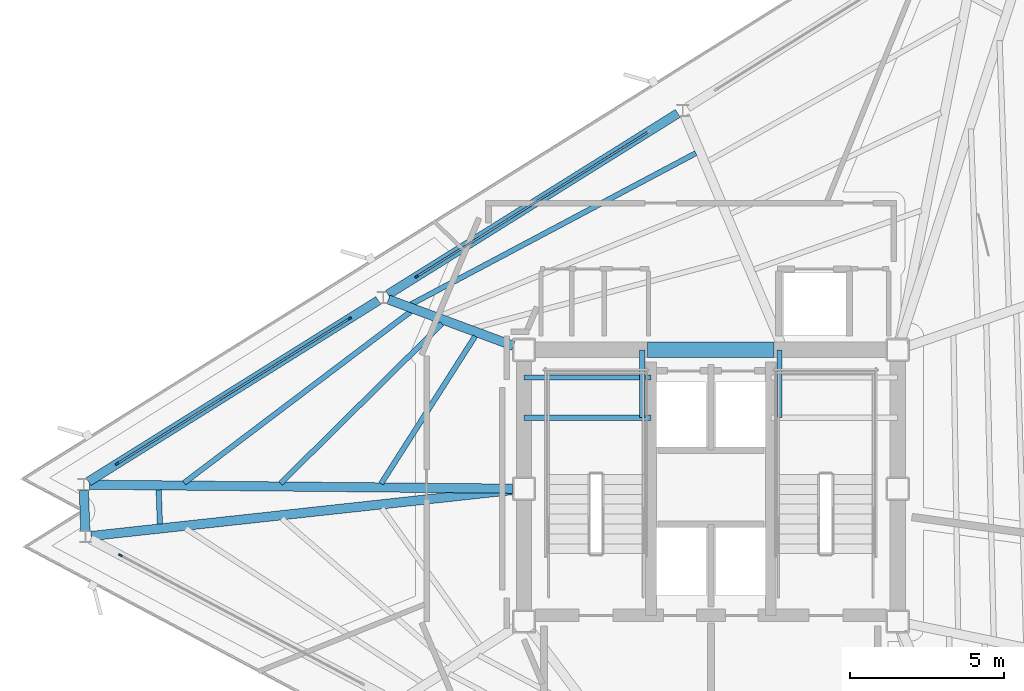
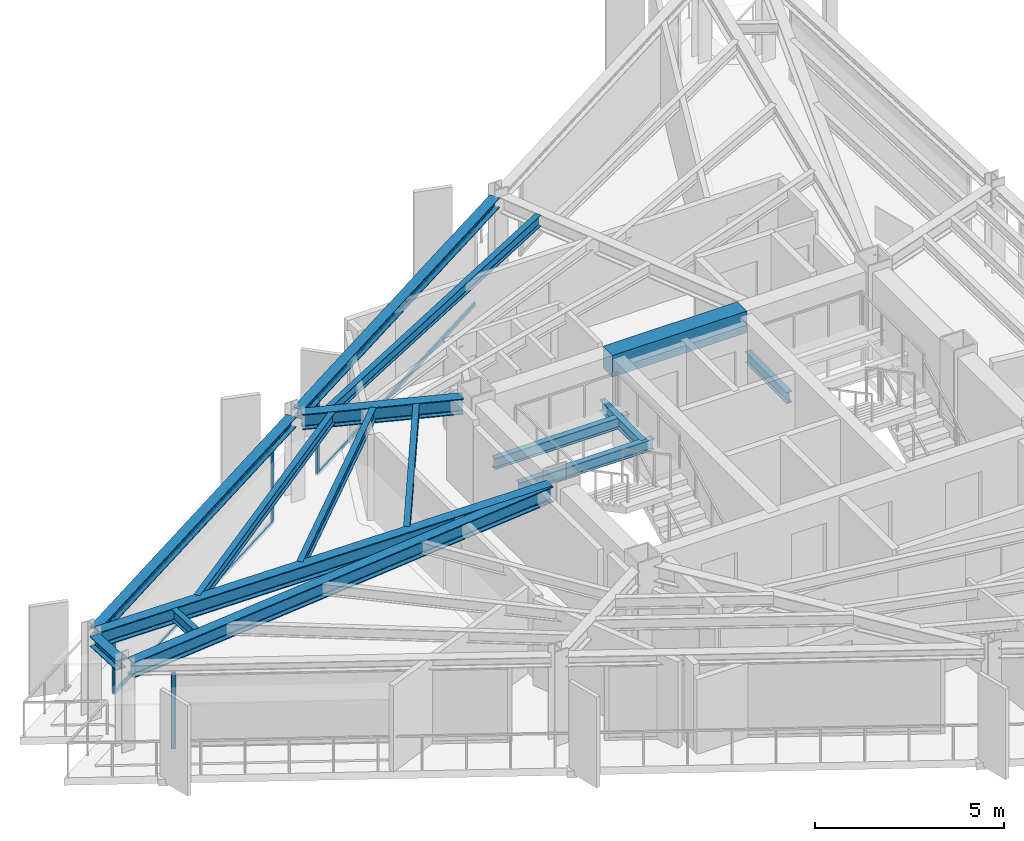
# One storey, part 4 of 13: 16 beams, 8 members, 3 elements without a shape of their own.
"""IFC4 building model written with IfcOpenShell, lengths in metres."""

from ifc_helpers import new_model, si_unit, direction, frame, origin, origin_2d, place, context, subcontext, project, spatial, rectangle, i_section, extrude, material, layer, layer_set, material_profile, profile_set, type_object, element, aggregate, save


model = new_model("IFC4")

# Units and contexts
model_context = context("Model", 3, precision=1e-05, world=origin(), true_north=direction((0.0, 1.0)))
body_context = subcontext(model_context, "Body", "Model", "MODEL_VIEW")
ifc_project = project(units=[si_unit("LENGTHUNIT", "METRE"), si_unit("AREAUNIT", "SQUARE_METRE"), si_unit("VOLUMEUNIT", "CUBIC_METRE"), si_unit("PLANEANGLEUNIT", "RADIAN"), si_unit("MASSUNIT", "GRAM", prefix="KILO")], contexts=[model_context])

# Site, building, storey
site_placement = place(None, origin())
site = spatial("IfcSite", under=ifc_project, at=site_placement, CompositionType="ELEMENT")
building_placement = place(site_placement, origin())
building = spatial("IfcBuilding", under=site, at=building_placement, Name="Rocaltana Carrier Exchange", CompositionType="ELEMENT")
storey_placement = place(building_placement, frame((0.0, 0.0, 202.719970703125)))
storey = spatial("IfcBuildingStorey", under=building, at=storey_placement, Name="L64", CompositionType="ELEMENT", Elevation=202.719970703125)

# Curtain wall, member
ifc_material_1 = material(Name="Aluminium 6063-T6", Category="aluminium")
ifc_layer = layer(ifc_material_1, 0.1201171875)
ifc_layer_set = layer_set([ifc_layer], Name="Aluminium 6063-T6")
curtain_wall_type = type_object("IfcCurtainWallType", Name="High-Altitude Thermal Curtain Wall CW-05", PredefinedType="NOTDEFINED", material=ifc_layer_set)
curtain_wall_1_placement = place(storey_placement, origin())
curtain_wall_1 = element("IfcCurtainWall", 1, at=curtain_wall_1_placement, inside=storey, type_object=curtain_wall_type, Name="L64 CW-05 Run CW-L64-F2S2", PredefinedType="NOTDEFINED")
ifc_material_2 = material(Name="Aluminium 6063-T6", Category="aluminium")
ifc_material_profile_1 = material_profile(ifc_material_2, rectangle(XDim=0.06005859375, YDim=0.1201171875, at=origin_2d()), Name="AL-60X120")
ifc_profile_set_1 = profile_set([ifc_material_profile_1], Name="Aluminium 6063-T6")
member_type_1 = type_object("IfcMemberType", Name="CW-05 Mullion AL-60X120", PredefinedType="MULLION", material=ifc_profile_set_1)
member_1_placement = place(storey_placement, frame((-9.52490234375, 6.870849609375, 0.0), z_axis=(0.0, 0.0, 1.0), x_axis=(0.529920452816, -0.848047353446, 0.0)))
member_1 = element("IfcMember", 2, at=member_1_placement, type_object=member_type_1, Name="CW-05 mullion 2", PredefinedType="MULLION", context=body_context, shape_type="SweptSolid", body=[
    extrude(rectangle(XDim=0.06005859375, YDim=0.1201171875, at=origin_2d()), origin(), (0.0, 0.0, 1.0), 2.447998046875),
])

# Curtain wall, members
curtain_wall_2_placement = place(storey_placement, origin())
curtain_wall_2 = element("IfcCurtainWall", 3, at=curtain_wall_2_placement, inside=storey, type_object=curtain_wall_type, Name="L64 CW-05 Run CW-L64-F2S3", PredefinedType="NOTDEFINED")
member_2_placement = place(storey_placement, frame((-11.696044921875, 5.514404296875, 0.0), z_axis=(0.0, 0.0, 1.0), x_axis=(0.529915422228, -0.848050496896, 0.0)))
member_2 = element("IfcMember", 4, at=member_2_placement, type_object=member_type_1, Name="CW-05 mullion 1", PredefinedType="MULLION", context=body_context, shape_type="SweptSolid", body=[
    extrude(rectangle(XDim=0.06005859375, YDim=0.1201171875, at=origin_2d()), origin(), (0.0, 0.0, 1.0), 2.447998046875),
])
member_3_placement = place(storey_placement, frame((-19.220947265625, 0.812255859375, 0.0), z_axis=(0.0, 0.0, 1.0), x_axis=(0.529915422228, -0.848050496896, 0.0)))
member_3 = element("IfcMember", 5, at=member_3_placement, type_object=member_type_1, Name="CW-05 mullion 2", PredefinedType="MULLION", context=body_context, shape_type="SweptSolid", body=[
    extrude(rectangle(XDim=0.06005859375, YDim=0.1201171875, at=origin_2d()), origin(), (0.0, 0.0, 1.0), 2.447998046875),
])

# Curtain wall, member
curtain_wall_3_placement = place(storey_placement, origin())
curtain_wall_3 = element("IfcCurtainWall", 6, at=curtain_wall_3_placement, inside=storey, type_object=curtain_wall_type, Name="L64 CW-05 Run CW-L64-F3S1", PredefinedType="NOTDEFINED")
member_4_placement = place(storey_placement, frame((-19.11767578125, -2.15087890625, 0.0), z_axis=(0.0, 0.0, 1.0), x_axis=(0.469483388841, 0.882941304732, 0.0)))
member_4 = element("IfcMember", 7, at=member_4_placement, type_object=member_type_1, Name="CW-05 mullion 1", PredefinedType="MULLION", context=body_context, shape_type="SweptSolid", body=[
    extrude(rectangle(XDim=0.06005859375, YDim=0.1201171875, at=origin_2d()), origin(), (0.0, 0.0, 1.0), 2.447998046875),
])
aggregate(curtain_wall_3, [member_4])

# Member
ifc_material_3 = material(Name="Aluminium 6063-T6", Category="aluminium")
ifc_material_profile_2 = material_profile(ifc_material_3, rectangle(XDim=0.06005859375, YDim=0.1201171875, at=origin_2d()), Name="AL-60X120")
ifc_profile_set_2 = profile_set([ifc_material_profile_2], Name="Aluminium 6063-T6")
member_type_2 = type_object("IfcMemberType", Name="CW-05 Transom AL-60X120", PredefinedType="USERDEFINED", material=ifc_profile_set_2)
member_5_placement = place(storey_placement, frame((-2.025390625, 11.55712890625, 0.030029296875), z_axis=(-0.848044988156, -0.529924238042, 0.0), x_axis=(0.529924238042, -0.848044988156, 0.0)))
member_5 = element("IfcMember", 8, at=member_5_placement, type_object=member_type_2, Name="CW-05 transom 1.1", ObjectType="TRANSOM", PredefinedType="USERDEFINED", context=body_context, shape_type="SweptSolid", body=[
    extrude(rectangle(XDim=0.06005859375, YDim=0.1201171875, at=origin_2d()), origin(), (0.0, 0.0, 1.0), 8.813232421875),
])

member_6_placement = place(storey_placement, frame((-2.025390625, 11.55712890625, 2.41796875), z_axis=(-0.848044988156, -0.529924238042, 0.0), x_axis=(0.529924238042, -0.848044988156, 0.0)))
member_6 = element("IfcMember", 9, at=member_6_placement, type_object=member_type_2, Name="CW-05 transom 1.2", ObjectType="TRANSOM", PredefinedType="USERDEFINED", context=body_context, shape_type="SweptSolid", body=[
    extrude(rectangle(XDim=0.06005859375, YDim=0.1201171875, at=origin_2d()), origin(), (0.0, 0.0, 1.0), 8.813232421875),
])

aggregate(curtain_wall_1, [member_1, member_5, member_6])

member_7_placement = place(storey_placement, frame((-11.721435546875, 5.498291015625, 0.030029296875), z_axis=(-0.848057437019, -0.529904315435, 0.0), x_axis=(0.529904315435, -0.848057437019, 0.0)))
member_7 = element("IfcMember", 10, at=member_7_placement, type_object=member_type_2, Name="CW-05 transom 1.1", ObjectType="TRANSOM", PredefinedType="USERDEFINED", context=body_context, shape_type="SweptSolid", body=[
    extrude(rectangle(XDim=0.06005859375, YDim=0.1201171875, at=origin_2d()), origin(), (0.0, 0.0, 1.0), 8.813232421875),
])

member_8_placement = place(storey_placement, frame((-11.721435546875, 5.498291015625, 2.41796875), z_axis=(-0.848057437019, -0.529904315435, 0.0), x_axis=(0.529904315435, -0.848057437019, 0.0)))
member_8 = element("IfcMember", 11, at=member_8_placement, type_object=member_type_2, Name="CW-05 transom 1.2", ObjectType="TRANSOM", PredefinedType="USERDEFINED", context=body_context, shape_type="SweptSolid", body=[
    extrude(rectangle(XDim=0.06005859375, YDim=0.1201171875, at=origin_2d()), origin(), (0.0, 0.0, 1.0), 8.813232421875),
])

aggregate(curtain_wall_2, [member_2, member_3, member_7, member_8])

# Beams
ifc_material_4 = material(Name="Concrete C60/75", Category="concrete")
ifc_material_profile_3 = material_profile(ifc_material_4, rectangle(XDim=0.5, YDim=0.699951171875, at=origin_2d()), Name="RC-BM-500X700")
ifc_profile_set_3 = profile_set([ifc_material_profile_3], Name="Concrete C60/75")
beam_type_1 = type_object("IfcBeamType", Name="Core Coupling Lintel 500x700", PredefinedType="LINTEL", material=ifc_profile_set_3)
beam_1_placement = place(storey_placement, frame((-2.050048828125, 4.5, 2.447998046875), z_axis=(1.0, 0.0, 0.0), x_axis=(0.0, 1.0, 0.0)))
element("IfcBeam", 12, at=beam_1_placement, inside=storey, type_object=beam_type_1, Name="L64 Core Coupling Lintel CL-N", PredefinedType="LINTEL", context=body_context, shape_type="SweptSolid", body=[
    extrude(rectangle(XDim=0.5, YDim=0.699951171875, at=origin_2d()), origin(), (0.0, 0.0, 1.0), 4.10009765625),
])
ifc_material_5 = material(Name="Steel S355", Category="steel")
ifc_material_profile_4 = material_profile(ifc_material_5, i_section(OverallWidth=0.172119140625, OverallDepth=0.35791015625, WebThickness=0.0078125, FlangeThickness=0.01318359375, FilletRadius=0.011962890625, at=origin_2d()), Name="W14X38")
ifc_profile_set_4 = profile_set([ifc_material_profile_4], Name="Steel S355")
beam_type_2 = type_object("IfcBeamType", Name="Floor Joist W14X38", PredefinedType="JOIST", material=ifc_profile_set_4)
for number, where, z_axis, x_axis, name in (
    (13, (-6.050048828125, 2.300048828125, 1.14111328125), (1.0, 0.0, 0.0), (0.0, 1.0, 0.0), "L64 ST-1 Landing Carrier 1"),
    (14, (-6.050048828125, 3.60009765625, 1.14111328125), (1.0, 0.0, 0.0), (0.0, 1.0, 0.0), "L64 ST-1 Landing Carrier 2"),
):
    element("IfcBeam", number, at=place(storey_placement, frame(where, z_axis=z_axis, x_axis=x_axis)), inside=storey, type_object=beam_type_2, Name=name, PredefinedType="JOIST", context=body_context, shape_type="SweptSolid", body=[
        extrude(i_section(OverallWidth=0.172119140625, OverallDepth=0.35791015625, WebThickness=0.0078125, FlangeThickness=0.01318359375, FilletRadius=0.011962890625, at=origin_2d()), origin(), (0.0, 0.0, 1.0), 4.110107421875),
    ])
for number, where, z_axis, x_axis, name in (
    (15, (-2.219970703125, 2.300048828125, 1.14111328125), (0.0, 1.0, 0.0), (-1.0, 0.0, 0.0), "L64 ST-1 Landing Cross Trimmer"),
    (16, (2.219970703125, 2.300048828125, 1.14111328125), (0.0, 1.0, 0.0), (-1.0, 0.0, 0.0), "L64 ST-2 Landing Cross Trimmer"),
):
    element("IfcBeam", number, at=place(storey_placement, frame(where, z_axis=z_axis, x_axis=x_axis)), inside=storey, type_object=beam_type_2, Name=name, PredefinedType="JOIST", context=body_context, shape_type="SweptSolid", body=[
        extrude(i_section(OverallWidth=0.172119140625, OverallDepth=0.35791015625, WebThickness=0.0078125, FlangeThickness=0.01318359375, FilletRadius=0.011962890625, at=origin_2d()), origin(), (0.0, 0.0, 1.0), 2.199951171875),
    ])
beam_2_placement = place(storey_placement, frame((-0.48681640625, 10.8662109375, 2.619140625), z_axis=(-0.883312459796, -0.468784703643, 0.0), x_axis=(0.468784703643, -0.883312459796, 0.0)))
element("IfcBeam", 17, at=beam_2_placement, inside=storey, type_object=beam_type_2, Name="FJ-L64-06-3", PredefinedType="JOIST", context=body_context, shape_type="SweptSolid", body=[
    extrude(i_section(OverallWidth=0.172119140625, OverallDepth=0.35791015625, WebThickness=0.0078125, FlangeThickness=0.01318359375, FilletRadius=0.011962890625, at=origin_2d()), origin(), (0.0, 0.0, 1.0), 10.439453125),
])
beam_3_placement = place(storey_placement, frame((-7.63232421875, 4.937255859375, 2.619140625), z_axis=(-0.537927212261, -0.842991289581, 0.0), x_axis=(0.842991289581, -0.537927212261, 0.0)))
element("IfcBeam", 18, at=beam_3_placement, inside=storey, type_object=beam_type_2, Name="FJ-L64-07-1", PredefinedType="JOIST", context=body_context, shape_type="SweptSolid", body=[
    extrude(i_section(OverallWidth=0.172119140625, OverallDepth=0.35791015625, WebThickness=0.0078125, FlangeThickness=0.01318359375, FilletRadius=0.011962890625, at=origin_2d()), origin(), (0.0, 0.0, 1.0), 5.660400390625),
])
beam_4_placement = place(storey_placement, frame((-8.706298828125, 5.3466796875, 2.619140625), z_axis=(-0.710816811973, -0.703377181757, 0.0), x_axis=(0.703377181757, -0.710816811973, 0.0)))
element("IfcBeam", 19, at=beam_4_placement, inside=storey, type_object=beam_type_2, Name="FJ-L64-07-2", PredefinedType="JOIST", context=body_context, shape_type="SweptSolid", body=[
    extrude(i_section(OverallWidth=0.172119140625, OverallDepth=0.35791015625, WebThickness=0.0078125, FlangeThickness=0.01318359375, FilletRadius=0.011962890625, at=origin_2d()), origin(), (0.0, 0.0, 1.0), 7.350830078125),
])
beam_5_placement = place(storey_placement, frame((-9.72216796875, 5.7333984375, 2.619140625), z_axis=(-0.797798617064, -0.602924013961, 0.0), x_axis=(0.602924013961, -0.797798617064, 0.0)))
element("IfcBeam", 20, at=beam_5_placement, inside=storey, type_object=beam_type_2, Name="FJ-L64-07-3", PredefinedType="JOIST", context=body_context, shape_type="SweptSolid", body=[
    extrude(i_section(OverallWidth=0.172119140625, OverallDepth=0.35791015625, WebThickness=0.0078125, FlangeThickness=0.01318359375, FilletRadius=0.011962890625, at=origin_2d()), origin(), (0.0, 0.0, 1.0), 9.19189453125),
])
beam_6_placement = place(storey_placement, frame((-17.8779296875, -0.03271484375, 2.619140625), z_axis=(0.034954429443, -0.999388907214, 0.0), x_axis=(0.999388907214, 0.034954429443, 0.0)))
element("IfcBeam", 21, at=beam_6_placement, inside=storey, type_object=beam_type_2, Name="FJ-L64-08-3", PredefinedType="JOIST", context=body_context, shape_type="SweptSolid", body=[
    extrude(i_section(OverallWidth=0.172119140625, OverallDepth=0.35791015625, WebThickness=0.0078125, FlangeThickness=0.01318359375, FilletRadius=0.011962890625, at=origin_2d()), origin(), (0.0, 0.0, 1.0), 1.110595703125),
])
ifc_material_6 = material(Name="Steel S355", Category="steel")
ifc_material_profile_5 = material_profile(ifc_material_6, i_section(OverallWidth=0.300048828125, OverallDepth=0.320068359375, WebThickness=0.011474609375, FlangeThickness=0.0205078125, FilletRadius=0.027099609375, at=origin_2d()), Name="HEB320")
ifc_profile_set_5 = profile_set([ifc_material_profile_5], Name="Steel S355")
beam_type_3 = type_object("IfcBeamType", Name="Spandrel Edge Beam HEB320", PredefinedType="SPANDREL", material=ifc_profile_set_5)
beam_7_placement = place(storey_placement, frame((-1.07177734375, 12.153076171875, 2.637939453125), z_axis=(-0.84805037449, -0.52991561812, 0.0), x_axis=(0.52991561812, -0.84805037449, 0.0)))
element("IfcBeam", 22, at=beam_7_placement, inside=storey, type_object=beam_type_3, Name="SP-L64-06", PredefinedType="SPANDREL", context=body_context, shape_type="SweptSolid", body=[
    extrude(i_section(OverallWidth=0.300048828125, OverallDepth=0.320068359375, WebThickness=0.011474609375, FlangeThickness=0.0205078125, FilletRadius=0.027099609375, at=origin_2d()), origin(), (0.0, 0.0, 1.0), 11.062255859375),
])
beam_8_placement = place(storey_placement, frame((-10.767822265625, 6.09423828125, 2.637939453125), z_axis=(-0.848056571721, -0.529905700253, 0.0), x_axis=(0.529905700253, -0.848056571721, 0.0)))
element("IfcBeam", 23, at=beam_8_placement, inside=storey, type_object=beam_type_3, Name="SP-L64-07", PredefinedType="SPANDREL", context=body_context, shape_type="SweptSolid", body=[
    extrude(i_section(OverallWidth=0.300048828125, OverallDepth=0.320068359375, WebThickness=0.011474609375, FlangeThickness=0.0205078125, FilletRadius=0.027099609375, at=origin_2d()), origin(), (0.0, 0.0, 1.0), 11.0625),
])
beam_9_placement = place(storey_placement, frame((-20.300048828125, -0.051513671875, 2.637939453125), z_axis=(0.034750289498, -0.999396026298, 0.0), x_axis=(0.999396026298, 0.034750289498, 0.0)))
element("IfcBeam", 24, at=beam_9_placement, inside=storey, type_object=beam_type_3, Name="SP-L64-08", PredefinedType="SPANDREL", context=body_context, shape_type="SweptSolid", body=[
    extrude(i_section(OverallWidth=0.300048828125, OverallDepth=0.320068359375, WebThickness=0.011474609375, FlangeThickness=0.0205078125, FilletRadius=0.027099609375, at=origin_2d()), origin(), (0.0, 0.0, 1.0), 1.313720703125),
])
ifc_material_7 = material(Name="Steel S355", Category="steel")
ifc_material_profile_6 = material_profile(ifc_material_7, i_section(OverallWidth=0.300048828125, OverallDepth=0.5, WebThickness=0.014404296875, FlangeThickness=0.028076171875, FilletRadius=0.027099609375, at=origin_2d()), Name="HEB500")
ifc_profile_set_6 = profile_set([ifc_material_profile_6], Name="Steel S355")
beam_type_4 = type_object("IfcBeamType", Name="Upper Radial Girder HEB500", PredefinedType="BEAM", material=ifc_profile_set_6)
beam_10_placement = place(storey_placement, frame((-6.39404296875, 4.627685546875, 2.548095703125), z_axis=(-0.937501283523, 0.347981814744, 0.0), x_axis=(-0.347981814744, -0.937501283523, 0.0)))
element("IfcBeam", 25, at=beam_10_placement, inside=storey, type_object=beam_type_4, Name="RG-L64-07", PredefinedType="BEAM", context=body_context, shape_type="SweptSolid", body=[
    extrude(i_section(OverallWidth=0.300048828125, OverallDepth=0.5, WebThickness=0.014404296875, FlangeThickness=0.028076171875, FilletRadius=0.027099609375, at=origin_2d()), origin(), (0.0, 0.0, 1.0), 4.31201171875),
])
beam_11_placement = place(storey_placement, frame((-6.4169921875, 0.00341796875, 2.548095703125), z_axis=(-0.999955930158, 0.009388170298, 0.0), x_axis=(-0.009388170298, -0.999955930158, 0.0)))
element("IfcBeam", 26, at=beam_11_placement, inside=storey, type_object=beam_type_4, Name="RG-L64-08", PredefinedType="BEAM", context=body_context, shape_type="SweptSolid", body=[
    extrude(i_section(OverallWidth=0.300048828125, OverallDepth=0.5, WebThickness=0.014404296875, FlangeThickness=0.028076171875, FilletRadius=0.027099609375, at=origin_2d()), origin(), (0.0, 0.0, 1.0), 13.70458984375),
])
beam_12_placement = place(storey_placement, frame((-6.414794921875, -0.039794921875, 2.548095703125), z_axis=(-0.994093982855, -0.108522593281, 0.0), x_axis=(0.108522593281, -0.994093982855, 0.0)))
element("IfcBeam", 27, at=beam_12_placement, inside=storey, type_object=beam_type_4, Name="RG-L64-09", PredefinedType="BEAM", context=body_context, shape_type="SweptSolid", body=[
    extrude(i_section(OverallWidth=0.300048828125, OverallDepth=0.5, WebThickness=0.014404296875, FlangeThickness=0.028076171875, FilletRadius=0.027099609375, at=origin_2d()), origin(), (0.0, 0.0, 1.0), 13.729736328125),
])

save(model, "model.ifc")
